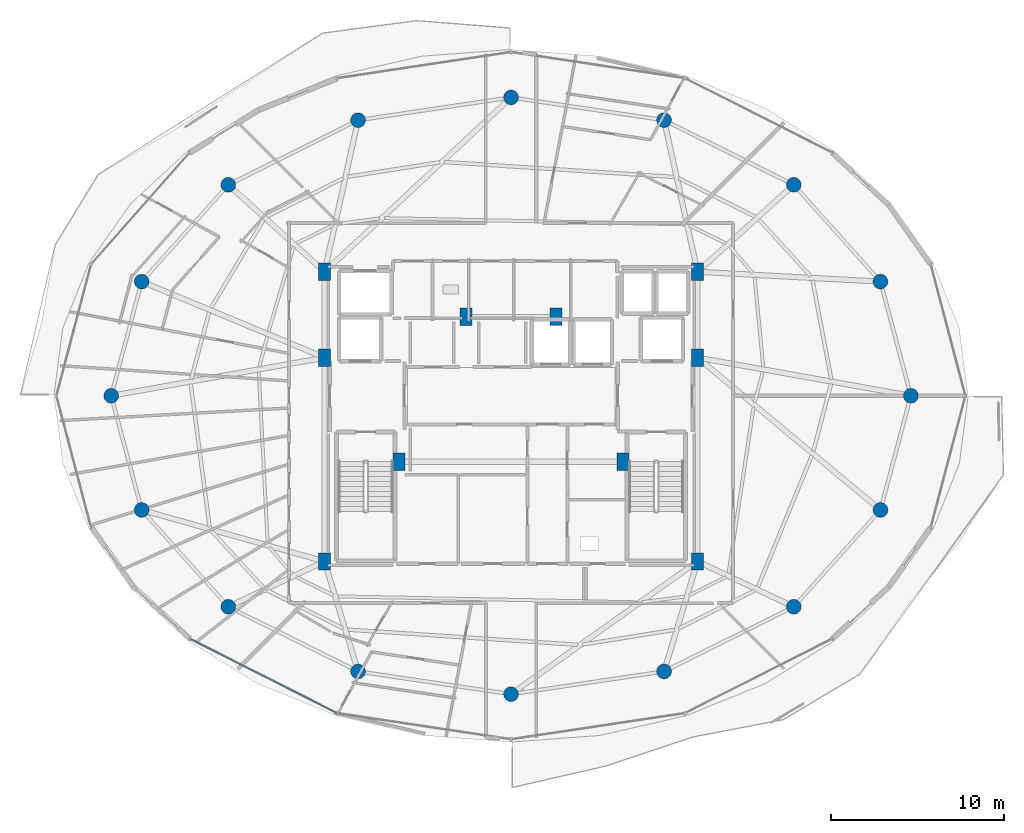
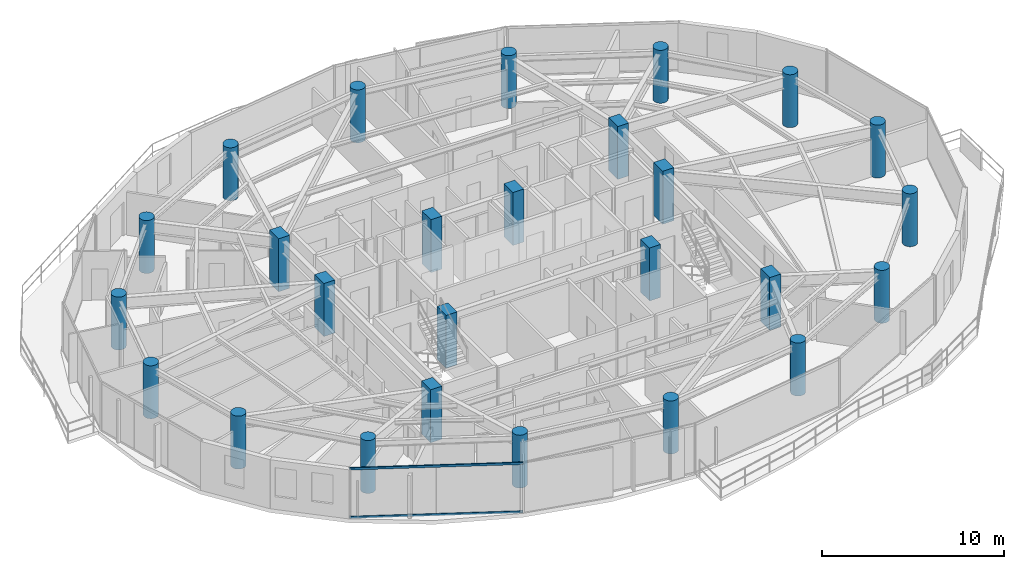
# One storey, part 1 of 29: 26 columns, 2 members, 1 element without a shape of its own.
"""IFC4 building model written with IfcOpenShell, lengths in metres."""

from ifc_helpers import new_model, si_unit, direction, frame, origin, origin_2d, place, context, subcontext, project, spatial, rectangle, hollow_rectangle, circle, extrude, material, material_profile, profile_set, type_object, element, aggregate, save


model = new_model("IFC4")

# Units and contexts
model_context = context("Model", 3, precision=1e-05, world=origin(), true_north=direction((0.0, 1.0)))
body_context = subcontext(model_context, "Body", "Model", "MODEL_VIEW")
ifc_project = project(units=[si_unit("LENGTHUNIT", "METRE"), si_unit("AREAUNIT", "SQUARE_METRE"), si_unit("VOLUMEUNIT", "CUBIC_METRE"), si_unit("PLANEANGLEUNIT", "RADIAN"), si_unit("MASSUNIT", "GRAM", prefix="KILO")], contexts=[model_context])

# Site, building, storey
site_placement = place(None, origin())
site = spatial("IfcSite", under=ifc_project, at=site_placement, CompositionType="ELEMENT")
building_placement = place(site_placement, origin())
building = spatial("IfcBuilding", under=site, at=building_placement, Name="Vorneva Point Tower", CompositionType="ELEMENT")
storey_placement = place(building_placement, frame((0.0, 0.0, 273.300048828125)))
storey = spatial("IfcBuildingStorey", under=building, at=storey_placement, Name="L74", CompositionType="ELEMENT", Elevation=273.300048828125)

# Columns
ifc_material_1 = material(Name="Concrete B50 (C40/50)", Category="concrete")
ifc_material_profile_1 = material_profile(ifc_material_1, circle(Radius=0.425048828125, at=origin_2d()), Name="RC-CIRC 850")
ifc_profile_set_1 = profile_set([ifc_material_profile_1], Name="Concrete B50 (C40/50)")
column_type_1 = type_object("IfcColumnType", Name="COL-RC850C", PredefinedType="COLUMN", material=ifc_profile_set_1)
for number, where, z_axis, x_axis, name in (
    (1, (61.050048828125, 26.0, 0.0), (0.0, 0.0, 1.0), (1.0, 0.0, 0.0), "L74 Perimeter Column P01"),
    (2, (59.29541015625, 32.582275390625, 0.0), (0.0, 0.0, 1.0), (0.923879532511, 0.382683432365, 0.0), "L74 Perimeter Column P02"),
    (3, (54.298828125, 38.162109375, 0.0), (0.0, 0.0, 1.0), (0.707106781187, 0.707106781187, 0.0), "L74 Perimeter Column P03"),
    (4, (46.82080078125, 41.890625, 0.0), (0.0, 0.0, 1.0), (0.382683432365, 0.923879532511, 0.0), "L74 Perimeter Column P04"),
    (5, (38.0, 43.199951171875, 0.0), (0.0, 0.0, 1.0), (0.0, 1.0, 0.0), "L74 Perimeter Column P05"),
    (6, (29.17919921875, 41.890625, 0.0), (0.0, 0.0, 1.0), (-0.382683432365, 0.923879532511, 0.0), "L74 Perimeter Column P06"),
    (7, (21.701171875, 38.162109375, 0.0), (0.0, 0.0, 1.0), (-0.707106781187, 0.707106781187, 0.0), "L74 Perimeter Column P07"),
    (8, (16.70458984375, 32.582275390625, 0.0), (0.0, 0.0, 1.0), (-0.923879532511, 0.382683432365, 0.0), "L74 Perimeter Column P08"),
    (9, (14.949951171875, 26.0, 0.0), (0.0, 0.0, 1.0), (-1.0, 0.0, 0.0), "L74 Perimeter Column P09"),
    (10, (16.70458984375, 19.417724609375, 0.0), (0.0, 0.0, 1.0), (-0.923879532511, -0.382683432365, 0.0), "L74 Perimeter Column P10"),
    (11, (21.701171875, 13.837890625, 0.0), (0.0, 0.0, 1.0), (-0.707106781187, -0.707106781187, 0.0), "L74 Perimeter Column P11"),
    (12, (29.17919921875, 10.109375, 0.0), (0.0, 0.0, 1.0), (-0.382683432365, -0.923879532511, 0.0), "L74 Perimeter Column P12"),
    (13, (38.0, 8.800048828125, 0.0), (0.0, 0.0, 1.0), (0.0, -1.0, 0.0), "L74 Perimeter Column P13"),
    (14, (46.82080078125, 10.109375, 0.0), (0.0, 0.0, 1.0), (0.382683432365, -0.923879532511, 0.0), "L74 Perimeter Column P14"),
    (15, (54.298828125, 13.837890625, 0.0), (0.0, 0.0, 1.0), (0.707106781187, -0.707106781187, 0.0), "L74 Perimeter Column P15"),
    (16, (59.29541015625, 19.417724609375, 0.0), (0.0, 0.0, 1.0), (0.923879532511, -0.382683432365, 0.0), "L74 Perimeter Column P16"),
):
    element("IfcColumn", number, at=place(storey_placement, frame(where, z_axis=z_axis, x_axis=x_axis)), inside=storey, type_object=column_type_1, Name=name, PredefinedType="COLUMN", context=body_context, shape_type="SweptSolid", body=[
        extrude(circle(Radius=0.425048828125, at=origin_2d()), origin(), (0.0, 0.0, 1.0), 3.550048828125),
    ])
ifc_material_profile_2 = material_profile(ifc_material_1, rectangle(XDim=0.699951171875, YDim=1.0, at=origin_2d()), Name="RC-PIL 1000x700")
ifc_profile_set_2 = profile_set([ifc_material_profile_2], Name="Concrete B50 (C40/50)")
column_type_2 = type_object("IfcColumnType", Name="PIL-RC1000x700", PredefinedType="PILASTER", material=ifc_profile_set_2)
for number, where, z_axis, x_axis, name in (
    (17, (27.25, 16.449951171875, 0.0), (0.0, 0.0, 1.0), (1.0, 0.0, 0.0), "L74 Core Pilaster CP1"),
    (18, (27.25, 28.199951171875, 0.0), (0.0, 0.0, 1.0), (1.0, 0.0, 0.0), "L74 Core Pilaster CP2"),
    (19, (27.25, 33.14990234375, 0.0), (0.0, 0.0, 1.0), (1.0, 0.0, 0.0), "L74 Core Pilaster CP3"),
    (20, (31.550048828125, 22.199951171875, 0.0), (0.0, 0.0, 1.0), (1.0, 0.0, 0.0), "L74 Core Pilaster CP4"),
    (21, (48.75, 33.14990234375, 0.0), (0.0, 0.0, 1.0), (1.0, 0.0, 0.0), "L74 Core Pilaster CP5"),
    (22, (48.75, 28.199951171875, 0.0), (0.0, 0.0, 1.0), (1.0, 0.0, 0.0), "L74 Core Pilaster CP6"),
    (23, (48.75, 16.449951171875, 0.0), (0.0, 0.0, 1.0), (1.0, 0.0, 0.0), "L74 Core Pilaster CP7"),
    (24, (44.449951171875, 22.199951171875, 0.0), (0.0, 0.0, 1.0), (1.0, 0.0, 0.0), "L74 Core Pilaster CP8"),
    (25, (35.39990234375, 30.550048828125, 0.0), (0.0, 0.0, 1.0), (1.0, 0.0, 0.0), "L74 Core Pilaster CP9"),
    (26, (40.60009765625, 30.550048828125, 0.0), (0.0, 0.0, 1.0), (1.0, 0.0, 0.0), "L74 Core Pilaster CP10"),
):
    element("IfcColumn", number, at=place(storey_placement, frame(where, z_axis=z_axis, x_axis=x_axis)), inside=storey, type_object=column_type_2, Name=name, PredefinedType="PILASTER", context=body_context, shape_type="SweptSolid", body=[
        extrude(rectangle(XDim=0.699951171875, YDim=1.0, at=origin_2d()), origin(), (0.0, 0.0, 1.0), 3.550048828125),
    ])

# Curtain wall, members
ifc_material_2 = material(Name="Pale anodised aluminium", Category="aluminium")
curtain_wall_type = type_object("IfcCurtainWallType", Name="CW-RES-SYS", PredefinedType="NOTDEFINED", material=ifc_material_2)
curtain_wall_placement = place(storey_placement, origin())
curtain_wall = element("IfcCurtainWall", 27, at=curtain_wall_placement, inside=storey, type_object=curtain_wall_type, Name="L74 Unitised Curtain Wall CW-L74-R04", PredefinedType="NOTDEFINED")
ifc_material_profile_3 = material_profile(ifc_material_2, hollow_rectangle(XDim=0.074951171875, YDim=0.14990234375, WallThickness=0.00390625, at=origin_2d()), Name="AL-TRN 150x75x4")
ifc_profile_set_3 = profile_set([ifc_material_profile_3], Name="Pale anodised aluminium")
member_type = type_object("IfcMemberType", Name="CW-TRN-150", PredefinedType="USERDEFINED", material=ifc_profile_set_3)
member_1_placement = place(storey_placement, frame((19.473876953125, 11.9921875, 0.02001953125), z_axis=(0.892558185815, -0.450932239848, 0.0), x_axis=(0.450932239848, 0.892558185815, 0.0)))
member_1 = element("IfcMember", 28, at=member_1_placement, type_object=member_type, Name="CW-L74-R04 Transom 01.1", ObjectType="TRANSOM", PredefinedType="USERDEFINED", context=body_context, shape_type="SweptSolid", body=[
    extrude(hollow_rectangle(XDim=0.074951171875, YDim=0.14990234375, WallThickness=0.00390625, at=origin_2d()), origin(), (0.0, 0.0, 1.0), 9.52294921875),
])
member_2_placement = place(storey_placement, frame((19.473876953125, 11.9921875, 3.27001953125), z_axis=(0.892558185815, -0.450932239848, 0.0), x_axis=(0.450932239848, 0.892558185815, 0.0)))
member_2 = element("IfcMember", 29, at=member_2_placement, type_object=member_type, Name="CW-L74-R04 Transom 01.2", ObjectType="TRANSOM", PredefinedType="USERDEFINED", context=body_context, shape_type="SweptSolid", body=[
    extrude(hollow_rectangle(XDim=0.074951171875, YDim=0.14990234375, WallThickness=0.00390625, at=origin_2d()), origin(), (0.0, 0.0, 1.0), 9.52294921875),
])
aggregate(curtain_wall, [member_1, member_2])

save(model, "model.ifc")
